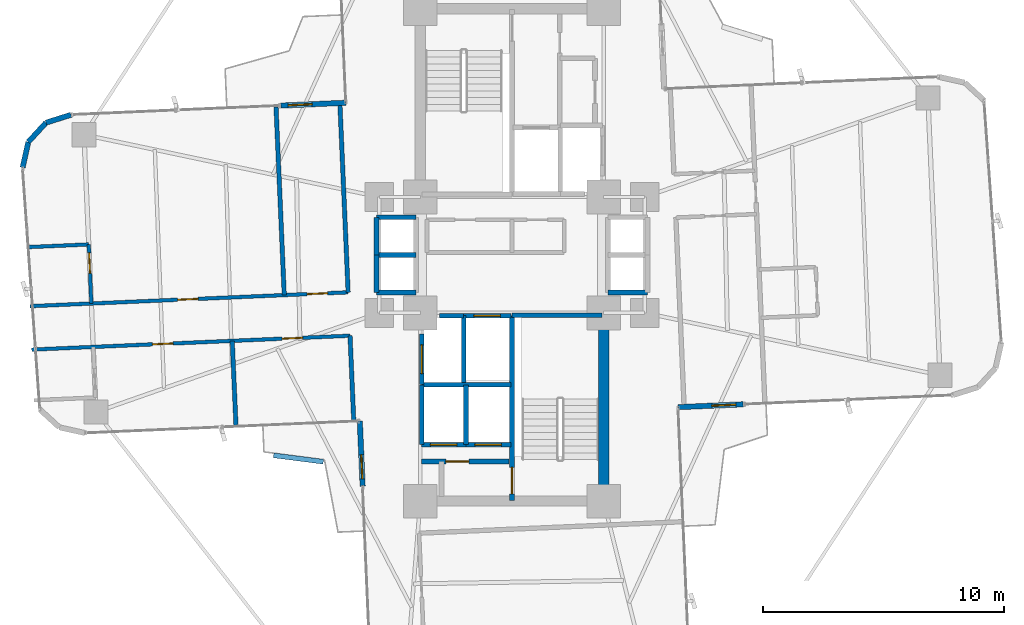
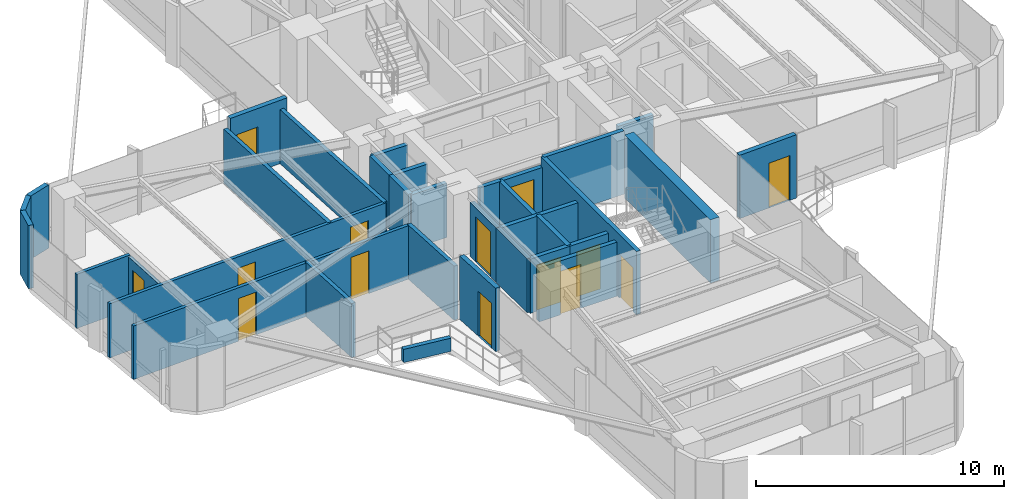
# One storey, part 23 of 26: 34 walls, 14 doors, 14 openings.
"""IFC4 building model written with IfcOpenShell, lengths in metres."""

from ifc_helpers import new_model, si_unit, direction, frame, frame_2d, origin, origin_2d, place, context, subcontext, project, spatial, rectangle, extrude, source, transform, mapped, material, layer, layer_set, type_object, element, fill, save


model = new_model("IFC4")

# Units and contexts
model_context = context("Model", 3, precision=1e-05, world=origin(), true_north=direction((0.0, 1.0)))
body_context = subcontext(model_context, "Body", "Model", "MODEL_VIEW")
ifc_project = project(units=[si_unit("LENGTHUNIT", "METRE"), si_unit("AREAUNIT", "SQUARE_METRE"), si_unit("VOLUMEUNIT", "CUBIC_METRE"), si_unit("PLANEANGLEUNIT", "RADIAN"), si_unit("MASSUNIT", "GRAM", prefix="KILO")], contexts=[model_context])

# Site, building, storey
site_placement = place(None, origin())
site = spatial("IfcSite", under=ifc_project, at=site_placement, CompositionType="ELEMENT")
building_placement = place(site_placement, origin())
building = spatial("IfcBuilding", under=site, at=building_placement, Name="Sahyath Konkavel Grand Hotel", CompositionType="ELEMENT")
storey_placement = place(building_placement, frame((0.0, 0.0, 111.449951171875)))
storey = spatial("IfcBuildingStorey", under=building, at=storey_placement, Name="L30", CompositionType="ELEMENT", Elevation=111.449951171875)

# Wall
ifc_material_1 = material(Name="Concrete C50/60", Category="concrete")
ifc_layer_1 = layer(ifc_material_1, 0.419921875)
ifc_layer_set_1 = layer_set([ifc_layer_1], Name="Concrete C50/60")
wall_type_1 = type_object("IfcWallType", Name="CWALL-420", PredefinedType="SHEAR", material=ifc_layer_set_1)
wall_1_placement = place(storey_placement, frame((3.800048828125, -9.75, 0.0), z_axis=(0.0, 0.0, 1.0), x_axis=(0.0, 1.0, 0.0)))
element("IfcWall", 1, at=wall_1_placement, inside=storey, type_object=wall_type_1, Name="L30 South Core Shear Wall E", PredefinedType="SHEAR", context=body_context, shape_type="SweptSolid", body=[
    extrude(rectangle(XDim=6.89990234375, YDim=0.419921875, at=frame_2d((3.449951171875, 0.0))), origin(), (0.0, 0.0, 1.0), 3.110107421875),
])

# Wall, opening, door
ifc_material_2 = material(Name="Warm Buff Sandstone Insulated Concrete C40/50", Category="masonry")
ifc_layer_2 = layer(ifc_material_2, 0.219970703125)
ifc_layer_set_2 = layer_set([ifc_layer_2], Name="Warm Buff Sandstone Insulated Concrete C40/50")
wall_type_2 = type_object("IfcWallType", Name="WLL-BALC-THRESH", PredefinedType="STANDARD", material=ifc_layer_set_2)
wall_2_placement = place(storey_placement, frame((6.881591796875, -6.305908203125, 0.0), z_axis=(0.0, 0.0, 1.0), x_axis=(0.999045894436, 0.043672655174, 0.0)))
wall_2 = element("IfcWall", 2, at=wall_2_placement, inside=storey, type_object=wall_type_2, Name="L30 Winter-Garden Threshold Wall 0", PredefinedType="STANDARD", context=body_context, shape_type="SweptSolid", body=[
    extrude(rectangle(XDim=2.7001953125, YDim=0.219970703125, at=frame_2d((1.35009765625, 0.0))), origin(), (0.0, 0.0, 1.0), 3.110107421875),
])
opening_1_placement = place(wall_2_placement, frame((1.39990234375, 0.0, 0.0)))
opening_1 = element("IfcOpeningElement", 3, at=opening_1_placement, cuts=wall_2, Name="Opening D-TR1", PredefinedType="OPENING", context=body_context, shape_type="SweptSolid", body=[
    extrude(rectangle(XDim=1.0, YDim=2.199951171875, at=frame_2d((0.5, 1.10009765625))), frame((0.0, 0.1201171875, 0.0), z_axis=(0.0, -1.0, 0.0), x_axis=(1.0, 0.0, 0.0)), (0.0, 0.0, 1.0), 0.239990234375),
])
ifc_material_3 = material(Name="Anodised Bronze Aluminium & Low-E Glazing", Category="aluminium")
door_type_1 = type_object("IfcDoorType", Name="DR-TERRACE-1000", OperationType="NOTDEFINED", PredefinedType="DOOR", material=ifc_material_3)
shared_shape_1 = source(origin(), body_context, "Body", "SweptSolid", [
    extrude(rectangle(XDim=1.0, YDim=0.050048828125, at=origin_2d()), origin(), (0.0, 0.0, 1.0), 2.199951171875),
])
door_1_placement = place(opening_1_placement, frame((0.5, 0.0, 0.0)))
door_1 = element("IfcDoor", 4, at=door_1_placement, inside=storey, type_object=door_type_1, Name="L30 Winter-Garden Terrace Door 0", OperationType="SINGLE_SWING_LEFT", OverallHeight=2.199951171875, OverallWidth=1.0, PredefinedType="DOOR", context=body_context, shape_type="MappedRepresentation", body=[
    mapped(shared_shape_1, transform((0.0, 0.0, 0.0), scale=1.0)),
])
fill(opening_1, door_1)

wall_3_placement = place(storey_placement, frame((-6.881591796875, 6.305908203125, 0.0), z_axis=(0.0, 0.0, 1.0), x_axis=(-0.999045894436, -0.043672655174, 0.0)))
wall_3 = element("IfcWall", 5, at=wall_3_placement, inside=storey, type_object=wall_type_2, Name="L30 Winter-Garden Threshold Wall 16", PredefinedType="STANDARD", context=body_context, shape_type="SweptSolid", body=[
    extrude(rectangle(XDim=2.7001953125, YDim=0.219970703125, at=frame_2d((1.35009765625, 0.0))), origin(), (0.0, 0.0, 1.0), 3.110107421875),
])
opening_2_placement = place(wall_3_placement, frame((1.39990234375, 0.0, 0.0)))
opening_2 = element("IfcOpeningElement", 6, at=opening_2_placement, cuts=wall_3, Name="Opening D-TR1", PredefinedType="OPENING", context=body_context, shape_type="SweptSolid", body=[
    extrude(rectangle(XDim=1.0, YDim=2.199951171875, at=frame_2d((0.5, 1.10009765625))), frame((0.0, 0.1201171875, 0.0), z_axis=(0.0, -1.0, 0.0), x_axis=(1.0, 0.0, 0.0)), (0.0, 0.0, 1.0), 0.239990234375),
])
door_2_placement = place(opening_2_placement, frame((0.5, 0.0, 0.0)))
door_2 = element("IfcDoor", 7, at=door_2_placement, inside=storey, type_object=door_type_1, Name="L30 Winter-Garden Terrace Door 16", OperationType="SINGLE_SWING_LEFT", OverallHeight=2.199951171875, OverallWidth=1.0, PredefinedType="DOOR", context=body_context, shape_type="MappedRepresentation", body=[
    mapped(shared_shape_1, transform((0.0, 0.0, 0.0), scale=1.0)),
])
fill(opening_2, door_2)

# Walls
for number, where, z_axis, x_axis, name in (
    (8, (-18.270751953125, 5.80859375, 0.0), (0.0, 0.0, 1.0), (-0.953721713582, -0.30069069331, 0.0), "L30 Rounded Corner Sandstone Pier 17"),
    (9, (-19.3076171875, 5.481689453125, 0.0), (0.0, 0.0, 1.0), (-0.675551721847, -0.737312600672, 0.0), "L30 Rounded Corner Sandstone Pier 18"),
):
    element("IfcWall", number, at=place(storey_placement, frame(where, z_axis=z_axis, x_axis=x_axis)), inside=storey, type_object=wall_type_2, Name=name, PredefinedType="STANDARD", context=body_context, shape_type="SweptSolid", body=[
        extrude(rectangle(XDim=1.087158203125, YDim=0.219970703125, at=frame_2d((0.54345703125, 0.0))), origin(), (0.0, 0.0, 1.0), 3.110107421875),
    ])
wall_4_placement = place(storey_placement, frame((-20.0419921875, 4.68017578125, 0.0), z_axis=(0.0, 0.0, 1.0), x_axis=(-0.216288323511, -0.976329535102, 0.0)))
element("IfcWall", 10, at=wall_4_placement, inside=storey, type_object=wall_type_2, Name="L30 Rounded Corner Sandstone Pier 19", PredefinedType="STANDARD", context=body_context, shape_type="SweptSolid", body=[
    extrude(rectangle(XDim=1.0869140625, YDim=0.219970703125, at=frame_2d((0.54345703125, 0.0))), origin(), (0.0, 0.0, 1.0), 3.110107421875),
])

# Wall, opening, door
wall_5_placement = place(storey_placement, frame((-6.305908203125, -6.881591796875, 0.0), z_axis=(0.0, 0.0, 1.0), x_axis=(0.043672655174, -0.999045894436, 0.0)))
wall_5 = element("IfcWall", 11, at=wall_5_placement, inside=storey, type_object=wall_type_2, Name="L30 Winter-Garden Threshold Wall 24", PredefinedType="STANDARD", context=body_context, shape_type="SweptSolid", body=[
    extrude(rectangle(XDim=2.7001953125, YDim=0.219970703125, at=frame_2d((1.35009765625, 0.0))), origin(), (0.0, 0.0, 1.0), 3.110107421875),
])
opening_3_placement = place(wall_5_placement, frame((1.39990234375, 0.0, 0.0)))
opening_3 = element("IfcOpeningElement", 12, at=opening_3_placement, cuts=wall_5, Name="Opening D-TR1", PredefinedType="OPENING", context=body_context, shape_type="SweptSolid", body=[
    extrude(rectangle(XDim=1.0, YDim=2.199951171875, at=frame_2d((0.5, 1.10009765625))), frame((0.0, 0.1201171875, 0.0), z_axis=(0.0, -1.0, 0.0), x_axis=(1.0, 0.0, 0.0)), (0.0, 0.0, 1.0), 0.239990234375),
])
door_3_placement = place(opening_3_placement, frame((0.5, 0.0, 0.0)))
door_3 = element("IfcDoor", 13, at=door_3_placement, inside=storey, type_object=door_type_1, Name="L30 Winter-Garden Terrace Door 24", OperationType="SINGLE_SWING_LEFT", OverallHeight=2.199951171875, OverallWidth=1.0, PredefinedType="DOOR", context=body_context, shape_type="MappedRepresentation", body=[
    mapped(shared_shape_1, transform((0.0, 0.0, 0.0), scale=1.0)),
])
fill(opening_3, door_3)

ifc_material_4 = material(Name="Concrete C40/50", Category="concrete")
ifc_layer_3 = layer(ifc_material_4, 0.199951171875)
ifc_layer_set_3 = layer_set([ifc_layer_3], Name="Concrete C40/50")
wall_type_3 = type_object("IfcWallType", Name="WLL-CORE-200", PredefinedType="SOLIDWALL", material=ifc_layer_set_3)
wall_6_placement = place(storey_placement, frame((0.0, -10.179931640625, 0.0), z_axis=(0.0, 0.0, 1.0), x_axis=(0.0, 1.0, 0.0)))
wall_6 = element("IfcWall", 14, at=wall_6_placement, inside=storey, type_object=wall_type_3, Name="L30 Stair ST-2 Shaft Wall W", PredefinedType="SOLIDWALL", context=body_context, shape_type="SweptSolid", body=[
    extrude(rectangle(XDim=7.679931640625, YDim=0.199951171875, at=frame_2d((3.83984375, 0.0))), origin(), (0.0, 0.0, 1.0), 3.110107421875),
])
opening_4_placement = place(wall_6_placement, frame((0.280029296875, 0.0, 0.0)))
opening_4 = element("IfcOpeningElement", 15, at=opening_4_placement, cuts=wall_6, Name="Opening D-F12B", PredefinedType="OPENING", context=body_context, shape_type="SweptSolid", body=[
    extrude(rectangle(XDim=1.10009765625, YDim=2.14990234375, at=frame_2d((0.550048828125, 1.074951171875))), frame((0.0, 0.10986328125, 0.0), z_axis=(0.0, -1.0, 0.0), x_axis=(1.0, 0.0, 0.0)), (0.0, 0.0, 1.0), 0.219970703125),
])
ifc_material_5 = material(Name="Steel E350 Smokeproof Fire Door", Category="steel")
door_type_2 = type_object("IfcDoorType", Name="DR-FD120-1100", OperationType="NOTDEFINED", PredefinedType="DOOR", material=ifc_material_5)
shared_shape_2 = source(origin(), body_context, "Body", "SweptSolid", [
    extrude(rectangle(XDim=1.10009765625, YDim=0.050048828125, at=origin_2d()), origin(), (0.0, 0.0, 1.0), 2.14990234375),
])
door_4_placement = place(opening_4_placement, frame((0.550048828125, 0.0, 0.0)))
door_4 = element("IfcDoor", 16, at=door_4_placement, inside=storey, type_object=door_type_2, Name="L30 Stair ST-2 Fire Door", OperationType="SINGLE_SWING_LEFT", OverallHeight=2.14990234375, OverallWidth=1.10009765625, PredefinedType="DOOR", context=body_context, shape_type="MappedRepresentation", body=[
    mapped(shared_shape_2, transform((0.0, 0.0, 0.0), scale=1.0)),
])
fill(opening_4, door_4)

# Walls
wall_7_placement = place(storey_placement, frame((0.0, -2.5, 0.0), z_axis=(0.0, 0.0, 1.0), x_axis=(1.0, 0.0, 0.0)))
element("IfcWall", 17, at=wall_7_placement, inside=storey, type_object=wall_type_3, Name="L30 Stair ST-2 Shaft Wall N", PredefinedType="SOLIDWALL", context=body_context, shape_type="SweptSolid", body=[
    extrude(rectangle(XDim=3.719970703125, YDim=0.199951171875, at=frame_2d((1.85986328125, 0.0))), origin(), (0.0, 0.0, 1.0), 3.110107421875),
])
wall_8_placement = place(storey_placement, frame((-2.0, -5.280029296875, 0.0), z_axis=(0.0, 0.0, 1.0), x_axis=(0.0, 1.0, 0.0)))
element("IfcWall", 18, at=wall_8_placement, inside=storey, type_object=wall_type_3, Name="L30 Partition SH-FFL2-W", PredefinedType="SOLIDWALL", context=body_context, shape_type="SweptSolid", body=[
    extrude(rectangle(XDim=2.780029296875, YDim=0.199951171875, at=frame_2d((1.39013671875, 0.0))), origin(), (0.0, 0.0, 1.0), 2.66015625),
])

# Wall, opening, door
wall_9_placement = place(storey_placement, frame((-2.0, -2.52001953125, 0.0), z_axis=(0.0, 0.0, 1.0), x_axis=(1.0, 0.0, 0.0)))
wall_9 = element("IfcWall", 19, at=wall_9_placement, inside=storey, type_object=wall_type_3, Name="L30 Partition SH-FFL2-N", PredefinedType="SOLIDWALL", context=body_context, shape_type="SweptSolid", body=[
    extrude(rectangle(XDim=1.949951171875, YDim=0.199951171875, at=frame_2d((0.97509765625, 0.0))), origin(), (0.0, 0.0, 1.0), 2.66015625),
])
opening_5_placement = place(wall_9_placement, frame((0.419921875, 0.0, 0.0)))
opening_5 = element("IfcOpeningElement", 20, at=opening_5_placement, cuts=wall_9, Name="Opening LD-11", PredefinedType="OPENING", context=body_context, shape_type="SweptSolid", body=[
    extrude(rectangle(XDim=1.10009765625, YDim=2.199951171875, at=frame_2d((0.550048828125, 1.10009765625))), frame((0.0, 0.10986328125, 0.0), z_axis=(0.0, -1.0, 0.0), x_axis=(1.0, 0.0, 0.0)), (0.0, 0.0, 1.0), 0.219970703125),
])
ifc_material_6 = material(Name="Bronze Lift Landing Door 1100")
door_type_3 = type_object("IfcDoorType", Name="DR-LIFT-1100", OperationType="DOUBLE_DOOR_SLIDING", PredefinedType="DOOR", material=ifc_material_6)
shared_shape_3 = source(origin(), body_context, "Body", "SweptSolid", [
    extrude(rectangle(XDim=1.10009765625, YDim=0.050048828125, at=origin_2d()), origin(), (0.0, 0.0, 1.0), 2.199951171875),
])
door_5_placement = place(opening_5_placement, frame((0.550048828125, 0.0, 0.0)))
door_5 = element("IfcDoor", 21, at=door_5_placement, inside=storey, type_object=door_type_3, Name="L30 Lift FFL-2 Landing Door", OperationType="DOUBLE_DOOR_SLIDING", OverallHeight=2.199951171875, OverallWidth=1.10009765625, PredefinedType="DOOR", context=body_context, shape_type="MappedRepresentation", body=[
    mapped(shared_shape_3, transform((0.0, 0.0, 0.0), scale=1.0)),
])
fill(opening_5, door_5)

# Wall
wall_10_placement = place(storey_placement, frame((-3.0, -2.52001953125, 0.0), z_axis=(0.0, 0.0, 1.0), x_axis=(1.0, 0.0, 0.0)))
element("IfcWall", 22, at=wall_10_placement, inside=storey, type_object=wall_type_3, Name="L30 Partition SH-SVL2-N", PredefinedType="SOLIDWALL", context=body_context, shape_type="SweptSolid", body=[
    extrude(rectangle(XDim=1.0, YDim=0.199951171875, at=frame_2d((0.5, 0.0))), origin(), (0.0, 0.0, 1.0), 2.66015625),
])

# Wall, opening, door
wall_11_placement = place(storey_placement, frame((-3.739990234375, -5.360107421875, 0.0), z_axis=(0.0, 0.0, 1.0), x_axis=(0.0, 1.0, 0.0)))
wall_11 = element("IfcWall", 23, at=wall_11_placement, inside=storey, type_object=wall_type_3, Name="L30 Partition SH-SVL2-W", PredefinedType="SOLIDWALL", context=body_context, shape_type="SweptSolid", body=[
    extrude(rectangle(XDim=2.080078125, YDim=0.199951171875, at=frame_2d((1.0400390625, 0.0))), origin(), (0.0, 0.0, 1.0), 2.66015625),
])
opening_6_placement = place(wall_11_placement, frame((0.43994140625, 0.0, 0.0)))
opening_6 = element("IfcOpeningElement", 24, at=opening_6_placement, cuts=wall_11, Name="Opening LD-12", PredefinedType="OPENING", context=body_context, shape_type="SweptSolid", body=[
    extrude(rectangle(XDim=1.199951171875, YDim=2.199951171875, at=frame_2d((0.60009765625, 1.10009765625))), frame((0.0, 0.10986328125, 0.0), z_axis=(0.0, -1.0, 0.0), x_axis=(1.0, 0.0, 0.0)), (0.0, 0.0, 1.0), 0.219970703125),
])
ifc_material_7 = material(Name="Stainless Steel Lift Landing Door 1200", Category="steel")
door_type_4 = type_object("IfcDoorType", Name="DR-LIFT-1200", OperationType="DOUBLE_DOOR_SLIDING", PredefinedType="DOOR", material=ifc_material_7)
shared_shape_4 = source(origin(), body_context, "Body", "SweptSolid", [
    extrude(rectangle(XDim=1.199951171875, YDim=0.050048828125, at=origin_2d()), origin(), (0.0, 0.0, 1.0), 2.199951171875),
])
door_6_placement = place(opening_6_placement, frame((0.60009765625, 0.0, 0.0)))
door_6 = element("IfcDoor", 25, at=door_6_placement, inside=storey, type_object=door_type_4, Name="L30 Service Lift SVL-2 Landing Door", OperationType="DOUBLE_DOOR_SLIDING", OverallHeight=2.199951171875, OverallWidth=1.199951171875, PredefinedType="DOOR", context=body_context, shape_type="MappedRepresentation", body=[
    mapped(shared_shape_4, transform((0.0, 0.0, 0.0), scale=1.0)),
])
fill(opening_6, door_6)

# Wall
wall_12_placement = place(storey_placement, frame((-3.739990234375, -7.860107421875, 0.0), z_axis=(0.0, 0.0, 1.0), x_axis=(0.0, 1.0, 0.0)))
element("IfcWall", 26, at=wall_12_placement, inside=storey, type_object=wall_type_3, Name="L30 Partition SH-PL3-W", PredefinedType="SOLIDWALL", context=body_context, shape_type="SweptSolid", body=[
    extrude(rectangle(XDim=2.480224609375, YDim=0.199951171875, at=frame_2d((1.240234375, 0.0))), origin(), (0.0, 0.0, 1.0), 2.66015625),
])

# Wall, opening, door
wall_13_placement = place(storey_placement, frame((-3.739990234375, -7.860107421875, 0.0), z_axis=(0.0, 0.0, 1.0), x_axis=(1.0, 0.0, 0.0)))
wall_13 = element("IfcWall", 27, at=wall_13_placement, inside=storey, type_object=wall_type_3, Name="L30 Partition SH-PL3-S", PredefinedType="SOLIDWALL", context=body_context, shape_type="SweptSolid", body=[
    extrude(rectangle(XDim=1.840087890625, YDim=0.199951171875, at=frame_2d((0.919921875, 0.0))), origin(), (0.0, 0.0, 1.0), 2.66015625),
])
opening_7_placement = place(wall_13_placement, frame((0.360107421875, 0.0, 0.0)))
opening_7 = element("IfcOpeningElement", 28, at=opening_7_placement, cuts=wall_13, Name="Opening LD-11", PredefinedType="OPENING", context=body_context, shape_type="SweptSolid", body=[
    extrude(rectangle(XDim=1.10009765625, YDim=2.199951171875, at=frame_2d((0.550048828125, 1.10009765625))), frame((0.0, 0.10986328125, 0.0), z_axis=(0.0, -1.0, 0.0), x_axis=(1.0, 0.0, 0.0)), (0.0, 0.0, 1.0), 0.219970703125),
])
door_7_placement = place(opening_7_placement, frame((0.550048828125, 0.0, 0.0)))
door_7 = element("IfcDoor", 29, at=door_7_placement, inside=storey, type_object=door_type_3, Name="L30 Passenger Lift PL-3 Landing Door", OperationType="DOUBLE_DOOR_SLIDING", OverallHeight=2.199951171875, OverallWidth=1.10009765625, PredefinedType="DOOR", context=body_context, shape_type="MappedRepresentation", body=[
    mapped(shared_shape_3, transform((0.0, 0.0, 0.0), scale=1.0)),
])
fill(opening_7, door_7)

# Walls
wall_14_placement = place(storey_placement, frame((-3.739990234375, -5.3798828125, 0.0), z_axis=(0.0, 0.0, 1.0), x_axis=(1.0, 0.0, 0.0)))
element("IfcWall", 30, at=wall_14_placement, inside=storey, type_object=wall_type_3, Name="L30 Partition SH-PL34-N", PredefinedType="SOLIDWALL", context=body_context, shape_type="SweptSolid", body=[
    extrude(rectangle(XDim=3.68994140625, YDim=0.199951171875, at=frame_2d((1.844970703125, 0.0))), origin(), (0.0, 0.0, 1.0), 2.66015625),
])
wall_15_placement = place(storey_placement, frame((-1.89990234375, -7.860107421875, 0.0), z_axis=(0.0, 0.0, 1.0), x_axis=(0.0, 1.0, 0.0)))
element("IfcWall", 31, at=wall_15_placement, inside=storey, type_object=wall_type_3, Name="L30 Partition SH-PL34-M", PredefinedType="SOLIDWALL", context=body_context, shape_type="SweptSolid", body=[
    extrude(rectangle(XDim=2.480224609375, YDim=0.199951171875, at=frame_2d((1.240234375, 0.0))), origin(), (0.0, 0.0, 1.0), 2.66015625),
])

# Wall, opening, door
wall_16_placement = place(storey_placement, frame((-1.89990234375, -7.860107421875, 0.0), z_axis=(0.0, 0.0, 1.0), x_axis=(1.0, 0.0, 0.0)))
wall_16 = element("IfcWall", 32, at=wall_16_placement, inside=storey, type_object=wall_type_3, Name="L30 Partition SH-PL4-S", PredefinedType="SOLIDWALL", context=body_context, shape_type="SweptSolid", body=[
    extrude(rectangle(XDim=1.849853515625, YDim=0.199951171875, at=frame_2d((0.9248046875, 0.0))), origin(), (0.0, 0.0, 1.0), 2.66015625),
])
opening_8_placement = place(wall_16_placement, frame((0.360107421875, 0.0, 0.0)))
opening_8 = element("IfcOpeningElement", 33, at=opening_8_placement, cuts=wall_16, Name="Opening LD-11", PredefinedType="OPENING", context=body_context, shape_type="SweptSolid", body=[
    extrude(rectangle(XDim=1.10009765625, YDim=2.199951171875, at=frame_2d((0.550048828125, 1.10009765625))), frame((0.0, 0.10986328125, 0.0), z_axis=(0.0, -1.0, 0.0), x_axis=(1.0, 0.0, 0.0)), (0.0, 0.0, 1.0), 0.219970703125),
])
door_8_placement = place(opening_8_placement, frame((0.550048828125, 0.0, 0.0)))
door_8 = element("IfcDoor", 34, at=door_8_placement, inside=storey, type_object=door_type_3, Name="L30 Passenger Lift PL-4 Landing Door", OperationType="DOUBLE_DOOR_SLIDING", OverallHeight=2.199951171875, OverallWidth=1.10009765625, PredefinedType="DOOR", context=body_context, shape_type="MappedRepresentation", body=[
    mapped(shared_shape_3, transform((0.0, 0.0, 0.0), scale=1.0)),
])
fill(opening_8, door_8)

# Walls
for number, where, z_axis, x_axis, name in (
    (35, (3.97998046875, -1.56005859375, 0.0), (0.0, 0.0, 1.0), (1.0, 0.0, 0.0), "L30 Partition SH-PL56-S"),
    (36, (-5.6201171875, 1.56005859375, 0.0), (0.0, 0.0, 1.0), (1.0, 0.0, 0.0), "L30 Partition SH-SL12-N"),
    (37, (-5.6201171875, -1.56005859375, 0.0), (0.0, 0.0, 1.0), (1.0, 0.0, 0.0), "L30 Partition SH-SL12-S"),
    (38, (-5.6201171875, 0.0, 0.0), (0.0, 0.0, 1.0), (1.0, 0.0, 0.0), "L30 Partition SH-SL12-M"),
):
    element("IfcWall", number, at=place(storey_placement, frame(where, z_axis=z_axis, x_axis=x_axis)), inside=storey, type_object=wall_type_3, Name=name, PredefinedType="SOLIDWALL", context=body_context, shape_type="SweptSolid", body=[
        extrude(rectangle(XDim=1.64013671875, YDim=0.199951171875, at=frame_2d((0.820068359375, 0.0))), origin(), (0.0, 0.0, 1.0), 2.66015625),
    ])
for number, where, z_axis, x_axis, name in (
    (39, (-5.6201171875, 0.0, 0.0), (0.0, 0.0, 1.0), (0.0, 1.0, 0.0), "L30 Partition SH-SL1-W"),
    (40, (-5.6201171875, -1.56005859375, 0.0), (0.0, 0.0, 1.0), (0.0, 1.0, 0.0), "L30 Partition SH-SL2-W"),
):
    element("IfcWall", number, at=place(storey_placement, frame(where, z_axis=z_axis, x_axis=x_axis)), inside=storey, type_object=wall_type_3, Name=name, PredefinedType="SOLIDWALL", context=body_context, shape_type="SweptSolid", body=[
        extrude(rectangle(XDim=1.56005859375, YDim=0.199951171875, at=frame_2d((0.780029296875, 0.0))), origin(), (0.0, 0.0, 1.0), 2.66015625),
    ])

# Wall, opening, door
wall_17_placement = place(storey_placement, frame((-3.739990234375, -8.56005859375, 0.0), z_axis=(0.0, 0.0, 1.0), x_axis=(1.0, 0.0, 0.0)))
wall_17 = element("IfcWall", 41, at=wall_17_placement, inside=storey, type_object=wall_type_3, Name="L30 South FF Lobby Separation Wall", PredefinedType="SOLIDWALL", context=body_context, shape_type="SweptSolid", body=[
    extrude(rectangle(XDim=3.619873046875, YDim=0.199951171875, at=frame_2d((1.81005859375, 0.0))), origin(), (0.0, 0.0, 1.0), 2.66015625),
])
opening_9_placement = place(wall_17_placement, frame((1.0, 0.0, 0.0)))
opening_9 = element("IfcOpeningElement", 42, at=opening_9_placement, cuts=wall_17, Name="Opening D-F12C", PredefinedType="OPENING", context=body_context, shape_type="SweptSolid", body=[
    extrude(rectangle(XDim=0.949951171875, YDim=2.14990234375, at=frame_2d((0.47509765625, 1.074951171875))), frame((0.0, 0.10986328125, 0.0), z_axis=(0.0, -1.0, 0.0), x_axis=(1.0, 0.0, 0.0)), (0.0, 0.0, 1.0), 0.219970703125),
])
ifc_material_8 = material(Name="Steel E350 Plant Fire Door", Category="steel")
door_type_5 = type_object("IfcDoorType", Name="DR-FD120-950", OperationType="NOTDEFINED", PredefinedType="DOOR", material=ifc_material_8)
shared_shape_5 = source(origin(), body_context, "Body", "SweptSolid", [
    extrude(rectangle(XDim=0.949951171875, YDim=0.050048828125, at=origin_2d()), origin(), (0.0, 0.0, 1.0), 2.14990234375),
])
door_9_placement = place(opening_9_placement, frame((0.47509765625, 0.0, 0.0)))
door_9 = element("IfcDoor", 43, at=door_9_placement, inside=storey, type_object=door_type_5, Name="L30 South Firefighting Lobby Door", OperationType="SINGLE_SWING_RIGHT", OverallHeight=2.14990234375, OverallWidth=0.949951171875, PredefinedType="DOOR", context=body_context, shape_type="MappedRepresentation", body=[
    mapped(shared_shape_5, transform((0.0, 0.0, 0.0), scale=1.0)),
])
fill(opening_9, door_9)

# Walls
ifc_material_9 = material(Name="Twin-Stud Acoustic Gypsum Plasterboard Partition")
ifc_layer_4 = layer(ifc_material_9, 0.179931640625)
ifc_layer_set_4 = layer_set([ifc_layer_4], Name="Twin-Stud Acoustic Gypsum Plasterboard Partition")
wall_type_4 = type_object("IfcWallType", Name="WLL-DEMISE-180", PredefinedType="PARTITIONING", material=ifc_layer_set_4)
wall_18_placement = place(storey_placement, frame((-6.71044921875, -3.345947265625, 0.0), z_axis=(0.0, 0.0, 1.0), x_axis=(0.043597663116, -0.999049169846, 0.0)))
element("IfcWall", 44, at=wall_18_placement, inside=storey, type_object=wall_type_4, Name="L30 Partition W-INL", PredefinedType="PARTITIONING", context=body_context, shape_type="SweptSolid", body=[
    extrude(rectangle(XDim=3.5, YDim=0.179931640625, at=frame_2d((1.75, 0.0))), origin(), (0.0, 0.0, 1.0), 2.66015625),
])
wall_19_placement = place(storey_placement, frame((-7.129150390625, 6.2451171875, 0.0), z_axis=(0.0, 0.0, 1.0), x_axis=(0.043600217373, -0.999049058378, 0.0)))
element("IfcWall", 45, at=wall_19_placement, inside=storey, type_object=wall_type_4, Name="L30 Partition W-INR", PredefinedType="PARTITIONING", context=body_context, shape_type="SweptSolid", body=[
    extrude(rectangle(XDim=7.800048828125, YDim=0.179931640625, at=frame_2d((3.89990234375, 0.0))), origin(), (0.0, 0.0, 1.0), 2.66015625),
])
wall_20_placement = place(storey_placement, frame((-11.58984375, -3.558837890625, 0.0), z_axis=(0.0, 0.0, 1.0), x_axis=(0.04366424353, -0.99904626211, 0.0)))
element("IfcWall", 46, at=wall_20_placement, inside=storey, type_object=wall_type_4, Name="L30 Partition W-W1L-DEM", PredefinedType="PARTITIONING", context=body_context, shape_type="SweptSolid", body=[
    extrude(rectangle(XDim=3.500244140625, YDim=0.179931640625, at=frame_2d((1.75, 0.0))), origin(), (0.0, 0.0, 1.0), 2.66015625),
])
wall_21_placement = place(storey_placement, frame((-9.436279296875, -1.6630859375, 0.0), z_axis=(0.0, 0.0, 1.0), x_axis=(-0.043632821702, 0.999047634936, 0.0)))
element("IfcWall", 47, at=wall_21_placement, inside=storey, type_object=wall_type_4, Name="L30 Partition W-WHK-DEM", PredefinedType="PARTITIONING", context=body_context, shape_type="SweptSolid", body=[
    extrude(rectangle(XDim=7.7998046875, YDim=0.179931640625, at=frame_2d((3.89990234375, 0.0))), origin(), (0.0, 0.0, 1.0), 2.66015625),
])

# Wall, openings, doors
ifc_material_10 = material(Name="Fire-Rated Gypsum Plasterboard Partition")
ifc_layer_5 = layer(ifc_material_10, 0.14990234375)
ifc_layer_set_5 = layer_set([ifc_layer_5], Name="Fire-Rated Gypsum Plasterboard Partition")
wall_type_5 = type_object("IfcWallType", Name="WLL-PART-150", PredefinedType="PARTITIONING", material=ifc_layer_set_5)
wall_22_placement = place(storey_placement, frame((-6.71044921875, -3.345947265625, 0.0), z_axis=(0.0, 0.0, 1.0), x_axis=(-0.999048535483, -0.04361219725, 0.0)))
wall_22 = element("IfcWall", 48, at=wall_22_placement, inside=storey, type_object=wall_type_5, Name="L30 Partition W-CL", PredefinedType="PARTITIONING", context=body_context, shape_type="SweptSolid", body=[
    extrude(rectangle(XDim=13.199951171875, YDim=0.14990234375, at=frame_2d((6.60009765625, 0.0))), origin(), (0.0, 0.0, 1.0), 2.630126953125),
])
opening_10_placement = place(wall_22_placement, frame((1.967041015625, 0.0, 0.0)))
opening_10 = element("IfcOpeningElement", 49, at=opening_10_placement, cuts=wall_22, Name="Opening D-F06D", PredefinedType="OPENING", context=body_context, shape_type="SweptSolid", body=[
    extrude(rectangle(XDim=0.85009765625, YDim=2.10009765625, at=frame_2d((0.425048828125, 1.050048828125))), frame((0.0, 0.0849609375, 0.0), z_axis=(0.0, -1.0, 0.0), x_axis=(1.0, 0.0, 0.0)), (0.0, 0.0, 1.0), 0.169921875),
])
opening_11_placement = place(wall_22_placement, frame((7.342041015625, 0.0, 0.0)))
opening_11 = element("IfcOpeningElement", 50, at=opening_11_placement, cuts=wall_22, Name="Opening D-F06D", PredefinedType="OPENING", context=body_context, shape_type="SweptSolid", body=[
    extrude(rectangle(XDim=0.85009765625, YDim=2.10009765625, at=frame_2d((0.425048828125, 1.050048828125))), frame((0.0, 0.0849609375, 0.0), z_axis=(0.0, -1.0, 0.0), x_axis=(1.0, 0.0, 0.0)), (0.0, 0.0, 1.0), 0.169921875),
])
ifc_material_11 = material(Name="Fire-Rated Shaft Access Door")
door_type_6 = type_object("IfcDoorType", Name="DR-FD60-850", OperationType="NOTDEFINED", PredefinedType="DOOR", material=ifc_material_11)
shared_shape_6 = source(origin(), body_context, "Body", "SweptSolid", [
    extrude(rectangle(XDim=0.85009765625, YDim=0.050048828125, at=origin_2d()), origin(), (0.0, 0.0, 1.0), 2.10009765625),
])
door_10_placement = place(opening_10_placement, frame((0.425048828125, 0.0, 0.0)))
door_10 = element("IfcDoor", 51, at=door_10_placement, inside=storey, type_object=door_type_6, Name="L30 Door W-W1L-D", OperationType="SINGLE_SWING_RIGHT", OverallHeight=2.10009765625, OverallWidth=0.85009765625, PredefinedType="DOOR", context=body_context, shape_type="MappedRepresentation", body=[
    mapped(shared_shape_6, transform((0.0, 0.0, 0.0), scale=1.0)),
])
fill(opening_10, door_10)
door_11_placement = place(opening_11_placement, frame((0.425048828125, 0.0, 0.0)))
door_11 = element("IfcDoor", 52, at=door_11_placement, inside=storey, type_object=door_type_6, Name="L30 Door W-W2L-ED", OperationType="SINGLE_SWING_RIGHT", OverallHeight=2.10009765625, OverallWidth=0.85009765625, PredefinedType="DOOR", context=body_context, shape_type="MappedRepresentation", body=[
    mapped(shared_shape_6, transform((0.0, 0.0, 0.0), scale=1.0)),
])
fill(opening_11, door_11)

wall_23_placement = place(storey_placement, frame((-6.7890625, -1.547607421875, 0.0), z_axis=(0.0, 0.0, 1.0), x_axis=(-0.999048500303, -0.043613003123, 0.0)))
wall_23 = element("IfcWall", 53, at=wall_23_placement, inside=storey, type_object=wall_type_5, Name="L30 Partition W-CR", PredefinedType="PARTITIONING", context=body_context, shape_type="SweptSolid", body=[
    extrude(rectangle(XDim=13.19970703125, YDim=0.14990234375, at=frame_2d((6.599853515625, 0.0))), origin(), (0.0, 0.0, 1.0), 2.66015625),
])
opening_12_placement = place(wall_23_placement, frame((0.85009765625, 0.0, 0.0)))
opening_12 = element("IfcOpeningElement", 54, at=opening_12_placement, cuts=wall_23, Name="Opening D-F06D", PredefinedType="OPENING", context=body_context, shape_type="SweptSolid", body=[
    extrude(rectangle(XDim=0.85009765625, YDim=2.10009765625, at=frame_2d((0.425048828125, 1.050048828125))), frame((0.0, 0.0849609375, 0.0), z_axis=(0.0, -1.0, 0.0), x_axis=(1.0, 0.0, 0.0)), (0.0, 0.0, 1.0), 0.169921875),
])
opening_13_placement = place(wall_23_placement, frame((6.22509765625, 0.0, 0.0)))
opening_13 = element("IfcOpeningElement", 55, at=opening_13_placement, cuts=wall_23, Name="Opening D-F06D", PredefinedType="OPENING", context=body_context, shape_type="SweptSolid", body=[
    extrude(rectangle(XDim=0.85009765625, YDim=2.10009765625, at=frame_2d((0.425048828125, 1.050048828125))), frame((0.0, 0.0849609375, 0.0), z_axis=(0.0, -1.0, 0.0), x_axis=(1.0, 0.0, 0.0)), (0.0, 0.0, 1.0), 0.169921875),
])
door_12_placement = place(opening_12_placement, frame((0.425048828125, 0.0, 0.0)))
door_12 = element("IfcDoor", 56, at=door_12_placement, inside=storey, type_object=door_type_6, Name="L30 Door W-WHK-D", OperationType="SINGLE_SWING_LEFT", OverallHeight=2.10009765625, OverallWidth=0.85009765625, PredefinedType="DOOR", context=body_context, shape_type="MappedRepresentation", body=[
    mapped(shared_shape_6, transform((0.0, 0.0, 0.0), scale=1.0)),
])
fill(opening_12, door_12)
door_13_placement = place(opening_13_placement, frame((0.425048828125, 0.0, 0.0)))
door_13 = element("IfcDoor", 57, at=door_13_placement, inside=storey, type_object=door_type_6, Name="L30 Door W-W2R-ED", OperationType="SINGLE_SWING_LEFT", OverallHeight=2.10009765625, OverallWidth=0.85009765625, PredefinedType="DOOR", context=body_context, shape_type="MappedRepresentation", body=[
    mapped(shared_shape_6, transform((0.0, 0.0, 0.0), scale=1.0)),
])
fill(opening_13, door_13)

# Wall, opening, door
wall_24_placement = place(storey_placement, frame((-17.4287109375, -2.01220703125, 0.0), z_axis=(0.0, 0.0, 1.0), x_axis=(-0.043644787072, 0.999047112283, 0.0)))
wall_24 = element("IfcWall", 58, at=wall_24_placement, inside=storey, type_object=wall_type_5, Name="L30 Partition W-W2R-BS", PredefinedType="PARTITIONING", context=body_context, shape_type="SweptSolid", body=[
    extrude(rectangle(XDim=2.4501953125, YDim=0.14990234375, at=frame_2d((1.22509765625, 0.0))), origin(), (0.0, 0.0, 1.0), 2.580078125),
])
opening_14_placement = place(wall_24_placement, frame((1.25, 0.0, 0.0)))
opening_14 = element("IfcOpeningElement", 59, at=opening_14_placement, cuts=wall_24, Name="Opening D-BT85", PredefinedType="OPENING", context=body_context, shape_type="SweptSolid", body=[
    extrude(rectangle(XDim=0.85009765625, YDim=2.10009765625, at=frame_2d((0.425048828125, 1.050048828125))), frame((0.0, 0.0849609375, 0.0), z_axis=(0.0, -1.0, 0.0), x_axis=(1.0, 0.0, 0.0)), (0.0, 0.0, 1.0), 0.169921875),
])
ifc_material_12 = material(Name="Moisture-Resistant Teak Bathroom Door")
door_type_7 = type_object("IfcDoorType", Name="DR-BATH-850", OperationType="NOTDEFINED", PredefinedType="DOOR", material=ifc_material_12)
door_14_placement = place(opening_14_placement, frame((0.425048828125, 0.0, 0.0)))
door_14 = element("IfcDoor", 60, at=door_14_placement, inside=storey, type_object=door_type_7, Name="L30 Door W-W2R-BD", OperationType="SINGLE_SWING_RIGHT", OverallHeight=2.10009765625, OverallWidth=0.85009765625, PredefinedType="DOOR", context=body_context, shape_type="MappedRepresentation", body=[
    mapped(shared_shape_6, transform((0.0, 0.0, 0.0), scale=1.0)),
])
fill(opening_14, door_14)

# Walls
wall_25_placement = place(storey_placement, frame((-17.53564453125, 0.435546875, 0.0), z_axis=(0.0, 0.0, 1.0), x_axis=(-0.999046560091, -0.043657425146, 0.0)))
element("IfcWall", 61, at=wall_25_placement, inside=storey, type_object=wall_type_5, Name="L30 Partition W-W2R-BF", PredefinedType="PARTITIONING", context=body_context, shape_type="SweptSolid", body=[
    extrude(rectangle(XDim=2.550048828125, YDim=0.14990234375, at=frame_2d((1.27490234375, 0.0))), origin(), (0.0, 0.0, 1.0), 2.66015625),
])
ifc_material_13 = material(Name="Warm Buff Sandstone Planter Wall", Category="masonry")
ifc_layer_6 = layer(ifc_material_13, 0.199951171875)
ifc_layer_set_6 = layer_set([ifc_layer_6], Name="Warm Buff Sandstone Planter Wall")
wall_type_6 = type_object("IfcWallType", Name="WLL-PLANTER-200", PredefinedType="PARAPET", material=ifc_layer_set_6)
wall_26_placement = place(storey_placement, frame((-9.875, -8.302734375, 0.0), z_axis=(0.0, 0.0, 1.0), x_axis=(0.991812557097, -0.127702198823, 0.0)))
element("IfcWall", 62, at=wall_26_placement, inside=storey, type_object=wall_type_6, Name="L30 Sky-Garden Stone Planter PLANTER SW", PredefinedType="PARAPET", context=body_context, shape_type="SweptSolid", body=[
    extrude(rectangle(XDim=2.072265625, YDim=0.199951171875, at=frame_2d((1.0361328125, 0.0))), origin(), (0.0, 0.0, 1.0), 0.650146484375),
])

save(model, "model.ifc")
